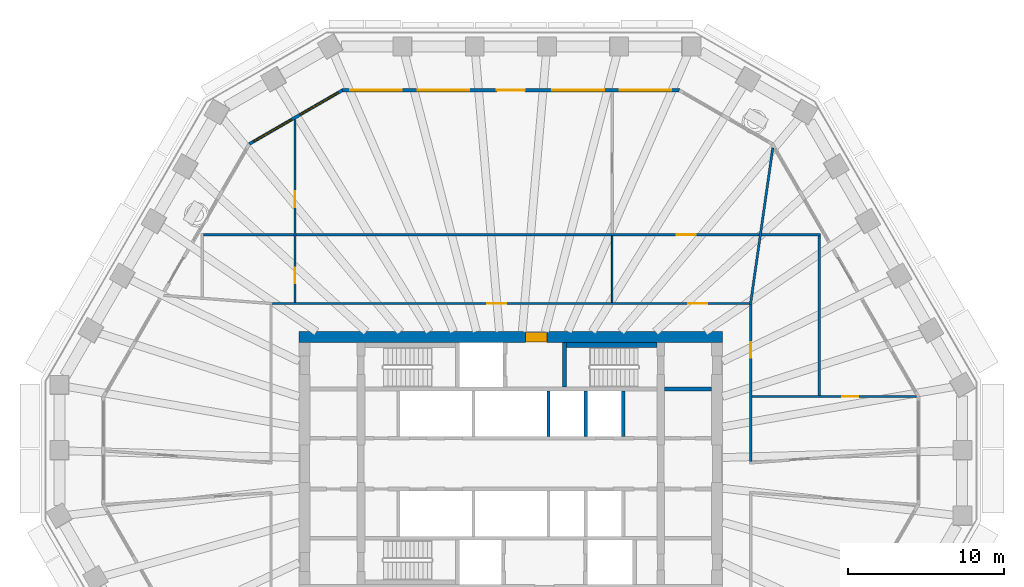
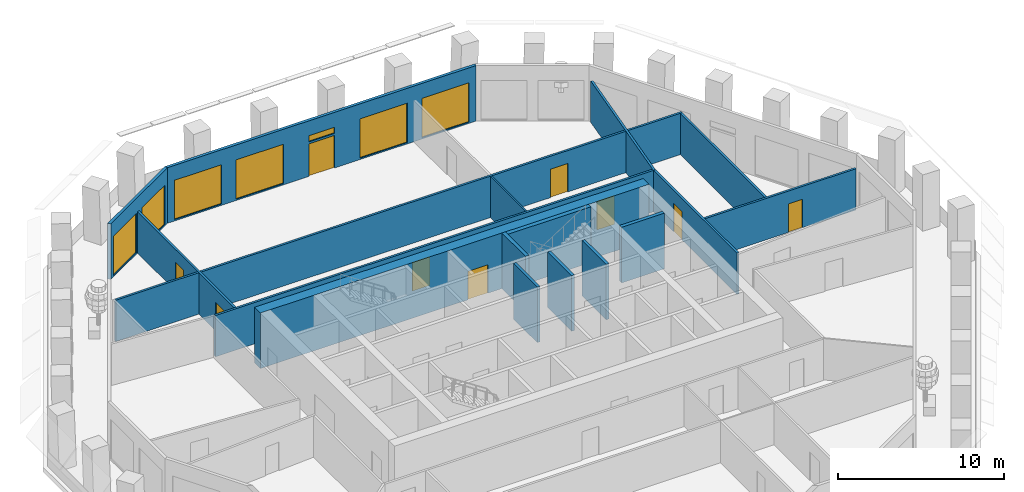
# One storey, part 7 of 12: 17 walls, 9 doors, 7 windows, 16 openings.
"""IFC4 building model written with IfcOpenShell, lengths in metres."""

import ifcopenshell
import ifcopenshell.guid

model = None  # the IFC model being written
_history = None  # IfcOwnerHistory: only IFC2X3 demands one
_inside = {}  # id of a spatial element -> (the spatial element, [elements in it])
_under = {}  # id of a project, library or spatial element -> (it, [spatial elements below it])
_declared = {}  # id of a project -> (the project, [libraries it declares])
_typed = {}  # id of a type object -> (the type object, [elements of that type])
_made_of = {}  # id of a material, layer set ... -> (it, [elements and type objects made of it])


def new_model(schema):
    """Start an empty IFC model of exactly this schema.

    Asked for "IFC4X3", IfcOpenShell would pick the latest addendum, in which some entities
    have other attributes; the version numbers below select the first issue.
    IFC2X3 requires an IfcOwnerHistory on every rooted entity: one is made here for all.
    """
    global model, _history
    if schema == "IFC4X3":
        model = ifcopenshell.file(schema_version=(4, 3, 0, 0))
    else:
        model = ifcopenshell.file(schema=schema)
    _inside.clear()
    _under.clear()
    _declared.clear()
    _typed.clear()
    _made_of.clear()
    _history = None
    if model.schema == "IFC2X3":
        org = make("IfcOrganization", Name="unknown")
        user = make(
            "IfcPersonAndOrganization",
            ThePerson=make("IfcPerson", FamilyName="unknown"),
            TheOrganization=org,
        )
        app = make(
            "IfcApplication",
            ApplicationDeveloper=org,
            Version="unknown",
            ApplicationFullName="unknown",
            ApplicationIdentifier="unknown",
        )
        _history = make(
            "IfcOwnerHistory",
            OwningUser=user,
            OwningApplication=app,
            ChangeAction="ADDED",
            CreationDate=0,
        )
    return model


def make(cls, **values):
    """One entity of the class cls with the attributes given. An attribute that is None is left unset."""
    return model.create_entity(
        cls, **{name: value for name, value in values.items() if value is not None}
    )


def rooted(cls, **values):
    """An entity with a GlobalId (a new one), such as an element, a storey or a relation."""
    return make(cls, GlobalId=ifcopenshell.guid.new(), OwnerHistory=_history, **values)


def si_unit(unit_type, name, prefix=None):
    """IfcSIUnit, for example si_unit("LENGTHUNIT", "METRE", prefix="MILLI")."""
    return make("IfcSIUnit", UnitType=unit_type, Prefix=prefix, Name=name)


def assignment(units):
    """IfcUnitAssignment: the units of a project."""
    return None if units is None else make("IfcUnitAssignment", Units=units)


def point(xyz):
    """IfcCartesianPoint."""
    return None if xyz is None else make("IfcCartesianPoint", Coordinates=xyz)


def direction(xyz):
    """IfcDirection."""
    return None if xyz is None else make("IfcDirection", DirectionRatios=xyz)


def frame(location, z_axis=None, x_axis=None):
    """IfcAxis2Placement3D, a coordinate frame: its origin and axes. An axis left out is left unset."""
    return make(
        "IfcAxis2Placement3D",
        Location=point(location),
        Axis=direction(z_axis),
        RefDirection=direction(x_axis),
    )


def frame_2d(location, x_axis=None):
    """IfcAxis2Placement2D, a coordinate frame in the plane: its origin and x axis."""
    return make(
        "IfcAxis2Placement2D", Location=point(location), RefDirection=direction(x_axis)
    )


def origin():
    """The frame at (0, 0, 0) with its axes left unset."""
    return frame((0.0, 0.0, 0.0))


def place(relative_to, where):
    """IfcLocalPlacement: puts the frame where relative to a parent placement (None: the world)."""
    return make(
        "IfcLocalPlacement", PlacementRelTo=relative_to, RelativePlacement=where
    )


def context(
    kind, dimensions, precision=None, world=None, true_north=None, identifier=None
):
    """IfcGeometricRepresentationContext, for example the 3D "Model" context."""
    return make(
        "IfcGeometricRepresentationContext",
        ContextIdentifier=identifier,
        ContextType=kind,
        CoordinateSpaceDimension=dimensions,
        Precision=precision,
        WorldCoordinateSystem=world,
        TrueNorth=true_north,
    )


def subcontext(parent, identifier, kind, view, scale=None):
    """IfcGeometricRepresentationSubContext, for example "Body" below "Model"."""
    return make(
        "IfcGeometricRepresentationSubContext",
        ContextIdentifier=identifier,
        ContextType=kind,
        ParentContext=parent,
        TargetScale=scale,
        TargetView=view,
    )


def project(units=None, contexts=None):
    """IfcProject with its units and contexts."""
    return rooted(
        "IfcProject",
        Name="project",
        RepresentationContexts=contexts,
        UnitsInContext=assignment(units),
    )


def spatial(cls, under=None, at=None, **own):
    """A site, building, storey or space (cls), placed at a placement, below another one or the project."""
    s = rooted(cls, ObjectPlacement=at, **own)
    if under is not None:
        _under.setdefault(under.id(), (under, []))[1].append(s)
    return s


def polyline(points):
    """IfcPolyline through the points."""
    return make("IfcPolyline", Points=[point(p) for p in points])


def profile(cls, at=None, kind="AREA", **sizes):
    """A parametric profile (cls). Its sizes go by their IFC names, for example OverallWidth=200.0."""
    return make(cls, ProfileType=kind, Position=at, **sizes)


def rectangle(**sizes):
    """IfcRectangleProfileDef."""
    return profile("IfcRectangleProfileDef", **sizes)


def outline(outer, holes=None, kind="AREA"):
    """IfcArbitraryClosedProfileDef: a profile drawn as a closed curve; with holes, ...WithVoids."""
    if holes is None:
        return make("IfcArbitraryClosedProfileDef", ProfileType=kind, OuterCurve=outer)
    return make(
        "IfcArbitraryProfileDefWithVoids",
        ProfileType=kind,
        OuterCurve=outer,
        InnerCurves=holes,
    )


def extrude(swept, where, along, depth):
    """IfcExtrudedAreaSolid: the profile swept, set in the frame where, extruded along a direction by depth."""
    return make(
        "IfcExtrudedAreaSolid",
        SweptArea=swept,
        Position=where,
        ExtrudedDirection=direction(along),
        Depth=depth,
    )


def shape(context_of_items, identifier, shape_type, items):
    """IfcShapeRepresentation: the items that make up one representation, for example the "Body"."""
    return make(
        "IfcShapeRepresentation",
        ContextOfItems=context_of_items,
        RepresentationIdentifier=identifier,
        RepresentationType=shape_type,
        Items=items,
    )


def material(Name=None, Category=None):
    """IfcMaterial."""
    return make("IfcMaterial", Name=Name, Category=Category)


def layer(
    of_material, thickness, ventilated=None, Name=None, Category=None, Priority=None
):
    """IfcMaterialLayer: one layer of a wall or slab, of a material (None: an air gap)."""
    return make(
        "IfcMaterialLayer",
        Material=of_material,
        LayerThickness=thickness,
        IsVentilated=ventilated,
        Name=Name,
        Category=Category,
        Priority=Priority,
    )


def layer_set(layers, Name=None):
    """IfcMaterialLayerSet."""
    return make("IfcMaterialLayerSet", MaterialLayers=layers, LayerSetName=Name)


def made_of(thing, what):
    """Note that an element or type object is made of a material, layer set ...; save() writes the relation."""
    if what is not None:
        _made_of.setdefault(what.id(), (what, []))[1].append(thing)
    return thing


def type_object(cls, material=None, **own):
    """A type object (cls), such as IfcWallType, which elements share."""
    return made_of(rooted(cls, **own), material)


def element(
    cls,
    number,
    at=None,
    inside=None,
    cuts=None,
    type_object=None,
    material=None,
    context=None,
    identifier="Body",
    shape_type=None,
    held_by="IfcProductDefinitionShape",
    body=None,
    shapes=None,
    **own,
):
    """One element of the class cls, such as IfcWall. Its Tag is "e" and its number.

    at: its placement. inside: the storey or other place that contains it. cuts: it is an
    opening in that element (IfcRelVoidsElement). A single representation is given by context,
    identifier, shape_type and body (its items); several are given by shapes. held_by: the class
    of the entity that holds the representations. save() writes the other relations.
    """
    e = rooted(cls, Tag="e%d" % number, ObjectPlacement=at, **own)
    if body is not None:
        shapes = [shape(context, identifier, shape_type, body)]
    if shapes is not None:
        e.Representation = make(held_by, Representations=shapes)
    if inside is not None:
        _inside.setdefault(inside.id(), (inside, []))[1].append(e)
    if cuts is not None:
        rooted(
            "IfcRelVoidsElement", RelatingBuildingElement=cuts, RelatedOpeningElement=e
        )
    if type_object is not None:
        _typed.setdefault(type_object.id(), (type_object, []))[1].append(e)
    return made_of(e, material)


def fill(opening, filler):
    """IfcRelFillsElement: the door or window that sits in an opening."""
    return rooted(
        "IfcRelFillsElement",
        RelatingOpeningElement=opening,
        RelatedBuildingElement=filler,
    )


def aggregate(whole, parts):
    """IfcRelAggregates: a whole, such as a stair, and the parts it consists of."""
    return rooted("IfcRelAggregates", RelatingObject=whole, RelatedObjects=parts)


def save(model, path):
    """Write the relations noted so far, then the file.

    IfcRelAggregates (storeys below a building ...), IfcRelContainedInSpatialStructure (elements
    in a storey), IfcRelDefinesByType, IfcRelAssociatesMaterial and IfcRelDeclares: one each for
    every whole, place, type object, material and project.
    """
    for whole, parts in _under.values():
        aggregate(whole, parts)
    for where, things in _inside.values():
        rooted(
            "IfcRelContainedInSpatialStructure",
            RelatedElements=things,
            RelatingStructure=where,
        )
    for kind, things in _typed.values():
        rooted("IfcRelDefinesByType", RelatedObjects=things, RelatingType=kind)
    for what, things in _made_of.values():
        rooted("IfcRelAssociatesMaterial", RelatedObjects=things, RelatingMaterial=what)
    for by, libraries in _declared.values():
        rooted("IfcRelDeclares", RelatingContext=by, RelatedDefinitions=libraries)
    model.write(path)


model = new_model("IFC4")

# Units and contexts
model_context = context("Model", 3, precision=1e-05, world=origin(), true_north=direction((0.0, 1.0)))
body_context = subcontext(model_context, "Body", "Model", "MODEL_VIEW")
ifc_project = project(units=[si_unit("LENGTHUNIT", "METRE"), si_unit("AREAUNIT", "SQUARE_METRE"), si_unit("VOLUMEUNIT", "CUBIC_METRE"), si_unit("PLANEANGLEUNIT", "RADIAN"), si_unit("MASSUNIT", "GRAM", prefix="KILO")], contexts=[model_context])

# Site, building, storey
site_placement = place(None, origin())
site = spatial("IfcSite", under=ifc_project, at=site_placement, CompositionType="ELEMENT")
building_placement = place(site_placement, origin())
building = spatial("IfcBuilding", under=site, at=building_placement, Name="Frailejon Research Tower", CompositionType="ELEMENT")
storey_placement = place(building_placement, frame((0.0, 0.0, 171.60009765625)))
storey = spatial("IfcBuildingStorey", under=building, at=storey_placement, Name="L37", CompositionType="ELEMENT", Elevation=171.60009765625)

# Wall, opening, door
ifc_material_1 = material(Name="Concrete C60/75", Category="concrete")
ifc_layer_1 = layer(ifc_material_1, 0.699951171875)
ifc_layer_set_1 = layer_set([ifc_layer_1], Name="Core shear wall 700 C60/75")
wall_type_1 = type_object("IfcWallType", Name="Core shear wall 700 C60/75", PredefinedType="SHEAR", material=ifc_layer_set_1)
wall_1_placement = place(storey_placement, frame((-13.550048828125, 8.10009765625, 0.0), z_axis=(0.0, 0.0, 1.0), x_axis=(1.0, 0.0, 0.0)))
wall_1 = element("IfcWall", 1, at=wall_1_placement, inside=storey, type_object=wall_type_1, Name="Core shear wall", PredefinedType="SHEAR", context=body_context, shape_type="SweptSolid", body=[
    extrude(rectangle(XDim=27.10009765625, YDim=0.699951171875, at=frame_2d((13.550048828125, 0.0))), origin(), (0.0, 0.0, 1.0), 4.099853515625),
])
opening_1_placement = place(wall_1_placement, frame((14.47509765625, 0.0, 0.0)))
opening_1 = element("IfcOpeningElement", 2, at=opening_1_placement, cuts=wall_1, Name="Opening D9", PredefinedType="OPENING", context=body_context, shape_type="SweptSolid", body=[
    extrude(rectangle(XDim=1.39990234375, YDim=2.10009765625, at=frame_2d((0.699951171875, 1.050048828125))), frame((0.0, 0.35986328125, 0.0), z_axis=(0.0, -1.0, 0.0), x_axis=(1.0, 0.0, 0.0)), (0.0, 0.0, 1.0), 0.719970703125),
])
ifc_material_2 = material(Name="Steel", Category="steel")
door_type_1 = type_object("IfcDoorType", Name="Goods lobby door", OperationType="DOUBLE_DOOR_SINGLE_SWING", PredefinedType="DOOR", material=ifc_material_2)
door_1_placement = place(opening_1_placement, origin())
door_1 = element("IfcDoor", 3, at=door_1_placement, inside=storey, type_object=door_type_1, Name="Goods lobby door", OperationType="DOUBLE_DOOR_SINGLE_SWING", OverallHeight=2.10009765625, OverallWidth=1.39990234375, PredefinedType="DOOR", context=body_context, shape_type="SweptSolid", body=[
    extrude(rectangle(XDim=1.39990234375, YDim=2.10009765625, at=frame_2d((0.699951171875, 1.050048828125))), frame((0.0, 0.300048828125, 0.0), z_axis=(0.0, -1.0, 0.0), x_axis=(1.0, 0.0, 0.0)), (0.0, 0.0, 1.0), 0.60009765625),
])
fill(opening_1, door_1)

ifc_material_3 = material(Name="Gypsum board and masonry partition", Category="masonry")
ifc_layer_2 = layer(ifc_material_3, 0.14990234375)
ifc_layer_set_2 = layer_set([ifc_layer_2], Name="Corridor wall EI 60, gypsum on steel studs 150")
wall_type_2 = type_object("IfcWallType", Name="Corridor wall EI 60, gypsum on steel studs 150", PredefinedType="PARTITIONING", material=ifc_layer_set_2)
wall_2_placement = place(storey_placement, frame((15.35009765625, 0.12255859375, 0.0), z_axis=(0.0, 0.0, 1.0), x_axis=(0.0, 1.0, 0.0)))
wall_2 = element("IfcWall", 4, at=wall_2_placement, inside=storey, type_object=wall_type_2, Name="T:IW:L37:002", PredefinedType="PARTITIONING", context=body_context, shape_type="SweptSolid", body=[
    extrude(rectangle(XDim=10.052490234375, YDim=0.14990234375, at=frame_2d((5.0263671875, 0.0))), origin(), (0.0, 0.0, 1.0), 3.0498046875),
])
opening_2_placement = place(wall_2_placement, frame((6.6494140625, 0.0, 0.0)))
opening_2 = element("IfcOpeningElement", 5, at=opening_2_placement, cuts=wall_2, Name="Opening D1805", PredefinedType="OPENING", context=body_context, shape_type="SweptSolid", body=[
    extrude(rectangle(XDim=1.0, YDim=2.10009765625, at=frame_2d((0.5, 1.050048828125))), frame((0.0, 0.0849609375, 0.0), z_axis=(0.0, -1.0, 0.0), x_axis=(1.0, 0.0, 0.0)), (0.0, 0.0, 1.0), 0.169921875),
])
ifc_material_4 = material(Name="Timber door leaf", Category="wood")
door_type_2 = type_object("IfcDoorType", Name="Door laboratory, timber, vision panel 1000", OperationType="NOTDEFINED", PredefinedType="DOOR", material=ifc_material_4)
door_2_placement = place(opening_2_placement, origin())
door_2 = element("IfcDoor", 6, at=door_2_placement, inside=storey, type_object=door_type_2, Name="D1805", OperationType="SINGLE_SWING_RIGHT", OverallHeight=2.10009765625, OverallWidth=1.0, PredefinedType="DOOR", context=body_context, shape_type="SweptSolid", body=[
    extrude(rectangle(XDim=1.0, YDim=2.10009765625, at=frame_2d((0.5, 1.050048828125))), frame((0.0, 0.02490234375, 0.0), z_axis=(0.0, -1.0, 0.0), x_axis=(1.0, 0.0, 0.0)), (0.0, 0.0, 1.0), 0.050048828125),
])
fill(opening_2, door_2)

# Wall, openings, doors
wall_3_placement = place(storey_placement, frame((-15.27490234375, 10.25, 0.0), z_axis=(0.0, 0.0, 1.0), x_axis=(1.0, 0.0, 0.0)))
wall_3 = element("IfcWall", 7, at=wall_3_placement, inside=storey, type_object=wall_type_2, Name="T:IW:L37:003", PredefinedType="PARTITIONING", context=body_context, shape_type="SweptSolid", body=[
    extrude(rectangle(XDim=30.5498046875, YDim=0.14990234375, at=frame_2d((15.27490234375, 0.0))), origin(), (0.0, 0.0, 1.0), 3.0498046875),
])
opening_3_placement = place(wall_3_placement, frame((26.638427734375, 0.0, 0.0)))
opening_3 = element("IfcOpeningElement", 8, at=opening_3_placement, cuts=wall_3, Name="Opening D1806", PredefinedType="OPENING", context=body_context, shape_type="SweptSolid", body=[
    extrude(rectangle(XDim=1.199951171875, YDim=2.10009765625, at=frame_2d((0.60009765625, 1.050048828125))), frame((0.0, 0.0849609375, 0.0), z_axis=(0.0, -1.0, 0.0), x_axis=(1.0, 0.0, 0.0)), (0.0, 0.0, 1.0), 0.169921875),
])
opening_4_placement = place(wall_3_placement, frame((13.772705078125, 0.0, 0.0)))
opening_4 = element("IfcOpeningElement", 9, at=opening_4_placement, cuts=wall_3, Name="Opening D1809", PredefinedType="OPENING", context=body_context, shape_type="SweptSolid", body=[
    extrude(rectangle(XDim=1.199951171875, YDim=2.10009765625, at=frame_2d((0.60009765625, 1.050048828125))), frame((0.0, 0.0849609375, 0.0), z_axis=(0.0, -1.0, 0.0), x_axis=(1.0, 0.0, 0.0)), (0.0, 0.0, 1.0), 0.169921875),
])
ifc_material_5 = material(Name="Timber door leaf", Category="wood")
door_type_3 = type_object("IfcDoorType", Name="Door single leaf, timber, steel frame 1200", OperationType="NOTDEFINED", PredefinedType="DOOR", material=ifc_material_5)
door_3_placement = place(opening_3_placement, origin())
door_3 = element("IfcDoor", 10, at=door_3_placement, inside=storey, type_object=door_type_3, Name="D1806", OperationType="DOUBLE_DOOR_SINGLE_SWING", OverallHeight=2.10009765625, OverallWidth=1.199951171875, PredefinedType="DOOR", context=body_context, shape_type="SweptSolid", body=[
    extrude(rectangle(XDim=1.199951171875, YDim=2.10009765625, at=frame_2d((0.60009765625, 1.050048828125))), frame((0.0, 0.02490234375, 0.0), z_axis=(0.0, -1.0, 0.0), x_axis=(1.0, 0.0, 0.0)), (0.0, 0.0, 1.0), 0.050048828125),
])
fill(opening_3, door_3)
door_4_placement = place(opening_4_placement, origin())
door_4 = element("IfcDoor", 11, at=door_4_placement, inside=storey, type_object=door_type_3, Name="D1809", OperationType="DOUBLE_DOOR_SINGLE_SWING", OverallHeight=2.10009765625, OverallWidth=1.199951171875, PredefinedType="DOOR", context=body_context, shape_type="SweptSolid", body=[
    extrude(rectangle(XDim=1.199951171875, YDim=2.10009765625, at=frame_2d((0.60009765625, 1.050048828125))), frame((0.0, 0.02490234375, 0.0), z_axis=(0.0, -1.0, 0.0), x_axis=(1.0, 0.0, 0.0)), (0.0, 0.0, 1.0), 0.050048828125),
])
fill(opening_4, door_4)

# Wall, opening, door
ifc_material_6 = material(Name="Gypsum board and masonry partition", Category="masonry")
ifc_layer_3 = layer(ifc_material_6, 0.14990234375)
ifc_layer_set_3 = layer_set([ifc_layer_3], Name="Laboratory partition, blockwork 150")
wall_type_3 = type_object("IfcWallType", Name="Laboratory partition, blockwork 150", PredefinedType="PARTITIONING", material=ifc_layer_set_3)
wall_4_placement = place(storey_placement, frame((15.425048828125, 4.293701171875, 0.0), z_axis=(0.0, 0.0, 1.0), x_axis=(1.0, 0.0, 0.0)))
wall_4 = element("IfcWall", 12, at=wall_4_placement, inside=storey, type_object=wall_type_3, Name="T:IW:L37:011", PredefinedType="PARTITIONING", context=body_context, shape_type="SweptSolid", body=[
    extrude(rectangle(XDim=10.535888671875, YDim=0.14990234375, at=frame_2d((5.26806640625, 0.0))), origin(), (0.0, 0.0, 1.0), 3.0498046875),
])
opening_5_placement = place(wall_4_placement, frame((5.802734375, 0.0, 0.0)))
opening_5 = element("IfcOpeningElement", 13, at=opening_5_placement, cuts=wall_4, Name="Opening D1804", PredefinedType="OPENING", context=body_context, shape_type="SweptSolid", body=[
    extrude(rectangle(XDim=1.0, YDim=2.10009765625, at=frame_2d((0.5, 1.050048828125))), frame((0.0, 0.0849609375, 0.0), z_axis=(0.0, -1.0, 0.0), x_axis=(1.0, 0.0, 0.0)), (0.0, 0.0, 1.0), 0.169921875),
])
ifc_material_7 = material(Name="Timber door leaf", Category="wood")
door_type_4 = type_object("IfcDoorType", Name="Door single leaf, timber, steel frame 1000", OperationType="NOTDEFINED", PredefinedType="DOOR", material=ifc_material_7)
door_5_placement = place(opening_5_placement, origin())
door_5 = element("IfcDoor", 14, at=door_5_placement, inside=storey, type_object=door_type_4, Name="D1804", OperationType="SINGLE_SWING_RIGHT", OverallHeight=2.10009765625, OverallWidth=1.0, PredefinedType="DOOR", context=body_context, shape_type="SweptSolid", body=[
    extrude(rectangle(XDim=1.0, YDim=2.10009765625, at=frame_2d((0.5, 1.050048828125))), frame((0.0, 0.02490234375, 0.0), z_axis=(0.0, -1.0, 0.0), x_axis=(1.0, 0.0, 0.0)), (0.0, 0.0, 1.0), 0.050048828125),
])
fill(opening_5, door_5)

# Wall
wall_5_placement = place(storey_placement, frame((19.75, 4.368896484375, 0.0), z_axis=(0.0, 0.0, 1.0), x_axis=(0.0, 1.0, 0.0)))
element("IfcWall", 15, at=wall_5_placement, inside=storey, type_object=wall_type_3, Name="T:IW:L37:012", PredefinedType="PARTITIONING", context=body_context, shape_type="SweptSolid", body=[
    extrude(rectangle(XDim=10.2060546875, YDim=0.14990234375, at=frame_2d((5.10302734375, 0.0))), origin(), (0.0, 0.0, 1.0), 3.0498046875),
])

# Wall, opening, door
wall_6_placement = place(storey_placement, frame((-19.675048828125, 14.64990234375, 0.0), z_axis=(0.0, 0.0, 1.0), x_axis=(1.0, 0.0, 0.0)))
wall_6 = element("IfcWall", 16, at=wall_6_placement, inside=storey, type_object=wall_type_3, Name="T:IW:L37:013", PredefinedType="PARTITIONING", context=body_context, shape_type="SweptSolid", body=[
    extrude(rectangle(XDim=39.5, YDim=0.14990234375, at=frame_2d((19.75, 0.0))), origin(), (0.0, 0.0, 1.0), 3.0498046875),
])
opening_6_placement = place(wall_6_placement, frame((30.3076171875, 0.0, 0.0)))
opening_6 = element("IfcOpeningElement", 17, at=opening_6_placement, cuts=wall_6, Name="Opening D1807", PredefinedType="OPENING", context=body_context, shape_type="SweptSolid", body=[
    extrude(rectangle(XDim=1.199951171875, YDim=2.10009765625, at=frame_2d((0.60009765625, 1.050048828125))), frame((0.0, 0.0849609375, 0.0), z_axis=(0.0, -1.0, 0.0), x_axis=(1.0, 0.0, 0.0)), (0.0, 0.0, 1.0), 0.169921875),
])
ifc_material_8 = material(Name="Timber door leaf", Category="wood")
door_type_5 = type_object("IfcDoorType", Name="Door laboratory, timber, vision panel 1200", OperationType="NOTDEFINED", PredefinedType="DOOR", material=ifc_material_8)
door_6_placement = place(opening_6_placement, origin())
door_6 = element("IfcDoor", 18, at=door_6_placement, inside=storey, type_object=door_type_5, Name="D1807", OperationType="DOUBLE_DOOR_SINGLE_SWING", OverallHeight=2.10009765625, OverallWidth=1.199951171875, PredefinedType="DOOR", context=body_context, shape_type="SweptSolid", body=[
    extrude(rectangle(XDim=1.199951171875, YDim=2.10009765625, at=frame_2d((0.60009765625, 1.050048828125))), frame((0.0, 0.02490234375, 0.0), z_axis=(0.0, -1.0, 0.0), x_axis=(1.0, 0.0, 0.0)), (0.0, 0.0, 1.0), 0.050048828125),
])
fill(opening_6, door_6)

# Wall
wall_7_placement = place(storey_placement, frame((15.33935546875, 10.17578125, 0.0), z_axis=(0.0, 0.0, 1.0), x_axis=(0.140962940667, 0.990014873302, 0.0)))
element("IfcWall", 19, at=wall_7_placement, inside=storey, type_object=wall_type_3, Name="T:IW:L37:014", PredefinedType="PARTITIONING", context=body_context, shape_type="SweptSolid", body=[
    extrude(rectangle(XDim=10.140625, YDim=0.14990234375, at=frame_2d((5.0703125, 0.0))), origin(), (0.0, 0.0, 1.0), 3.0498046875),
])

# Wall, openings, doors
wall_8_placement = place(storey_placement, frame((-13.814453125, 10.324951171875, 0.0), z_axis=(0.0, 0.0, 1.0), x_axis=(0.0, 1.0, 0.0)))
wall_8 = element("IfcWall", 20, at=wall_8_placement, inside=storey, type_object=wall_type_3, Name="T:IW:L37:016", PredefinedType="PARTITIONING", context=body_context, shape_type="SweptSolid", body=[
    extrude(rectangle(XDim=11.712158203125, YDim=0.14990234375, at=frame_2d((5.85595703125, 0.0))), origin(), (0.0, 0.0, 1.0), 3.0498046875),
])
opening_7_placement = place(wall_8_placement, frame((6.0966796875, 0.0, 0.0)))
opening_7 = element("IfcOpeningElement", 21, at=opening_7_placement, cuts=wall_8, Name="Opening D1810", PredefinedType="OPENING", context=body_context, shape_type="SweptSolid", body=[
    extrude(rectangle(XDim=1.0, YDim=2.10009765625, at=frame_2d((0.5, 1.050048828125))), frame((0.0, 0.0849609375, 0.0), z_axis=(0.0, -1.0, 0.0), x_axis=(1.0, 0.0, 0.0)), (0.0, 0.0, 1.0), 0.169921875),
])
opening_8_placement = place(wall_8_placement, frame((1.219970703125, 0.0, 0.0)))
opening_8 = element("IfcOpeningElement", 22, at=opening_8_placement, cuts=wall_8, Name="Opening D1811", PredefinedType="OPENING", context=body_context, shape_type="SweptSolid", body=[
    extrude(rectangle(XDim=1.0, YDim=2.10009765625, at=frame_2d((0.5, 1.050048828125))), frame((0.0, 0.0849609375, 0.0), z_axis=(0.0, -1.0, 0.0), x_axis=(1.0, 0.0, 0.0)), (0.0, 0.0, 1.0), 0.169921875),
])
door_7_placement = place(opening_7_placement, origin())
door_7 = element("IfcDoor", 23, at=door_7_placement, inside=storey, type_object=door_type_2, Name="D1810", OperationType="SINGLE_SWING_RIGHT", OverallHeight=2.10009765625, OverallWidth=1.0, PredefinedType="DOOR", context=body_context, shape_type="SweptSolid", body=[
    extrude(rectangle(XDim=1.0, YDim=2.10009765625, at=frame_2d((0.5, 1.050048828125))), frame((0.0, 0.02490234375, 0.0), z_axis=(0.0, -1.0, 0.0), x_axis=(1.0, 0.0, 0.0)), (0.0, 0.0, 1.0), 0.050048828125),
])
fill(opening_7, door_7)
door_8_placement = place(opening_8_placement, origin())
door_8 = element("IfcDoor", 24, at=door_8_placement, inside=storey, type_object=door_type_2, Name="D1811", OperationType="SINGLE_SWING_RIGHT", OverallHeight=2.10009765625, OverallWidth=1.0, PredefinedType="DOOR", context=body_context, shape_type="SweptSolid", body=[
    extrude(rectangle(XDim=1.0, YDim=2.10009765625, at=frame_2d((0.5, 1.050048828125))), frame((0.0, 0.02490234375, 0.0), z_axis=(0.0, -1.0, 0.0), x_axis=(1.0, 0.0, 0.0)), (0.0, 0.0, 1.0), 0.050048828125),
])
fill(opening_8, door_8)

# Walls
ifc_material_9 = material(Name="Gypsum board and masonry partition", Category="masonry")
ifc_layer_4 = layer(ifc_material_9, 0.10009765625)
ifc_layer_set_4 = layer_set([ifc_layer_4], Name="Partition, gypsum on steel studs 100")
wall_type_4 = type_object("IfcWallType", Name="Partition, gypsum on steel studs 100", PredefinedType="PARTITIONING", material=ifc_layer_set_4)
wall_9_placement = place(storey_placement, frame((6.488525390625, 10.324951171875, 0.0), z_axis=(0.0, 0.0, 1.0), x_axis=(0.0, 1.0, 0.0)))
element("IfcWall", 25, at=wall_9_placement, inside=storey, type_object=wall_type_4, Name="T:IW:L37:025", PredefinedType="PARTITIONING", context=body_context, shape_type="SweptSolid", body=[
    extrude(rectangle(XDim=4.25, YDim=0.10009765625, at=frame_2d((2.125, 0.0))), origin(), (0.0, 0.0, 1.0), 3.0498046875),
])
ifc_material_10 = material(Name="Concrete C60/75", Category="concrete")
ifc_layer_5 = layer(ifc_material_10, 0.199951171875)
ifc_layer_set_5 = layer_set([ifc_layer_5], Name="Shaft wall 200 C60/75")
wall_type_5 = type_object("IfcWallType", Name="Shaft wall 200 C60/75", PredefinedType="SOLIDWALL", material=ifc_layer_set_5)
for number, where, z_axis, x_axis, name in (
    (26, (2.39990234375, 1.75, 0.0), (0.0, 0.0, 1.0), (0.0, 1.0, 0.0), "Shaft wall"),
    (27, (4.800048828125, 1.75, 0.0), (0.0, 0.0, 1.0), (0.0, 1.0, 0.0), "Shaft wall"),
    (28, (7.199951171875, 1.75, 0.0), (0.0, 0.0, 1.0), (0.0, 1.0, 0.0), "Shaft wall"),
):
    element("IfcWall", number, at=place(storey_placement, frame(where, z_axis=z_axis, x_axis=x_axis)), inside=storey, type_object=wall_type_5, Name=name, PredefinedType="SOLIDWALL", context=body_context, shape_type="SweptSolid", body=[
        extrude(rectangle(XDim=2.89990234375, YDim=0.199951171875, at=frame_2d((1.449951171875, 0.0))), origin(), (0.0, 0.0, 1.0), 4.099853515625),
    ])
ifc_material_11 = material(Name="Concrete C60/75", Category="concrete")
ifc_layer_6 = layer(ifc_material_11, 0.25)
ifc_layer_set_6 = layer_set([ifc_layer_6], Name="Shaft wall 250 C60/75")
wall_type_6 = type_object("IfcWallType", Name="Shaft wall 250 C60/75", PredefinedType="SOLIDWALL", material=ifc_layer_set_6)
wall_10_placement = place(storey_placement, frame((9.85009765625, 4.77490234375, 0.0), z_axis=(0.0, 0.0, 1.0), x_axis=(1.0, 0.0, 0.0)))
element("IfcWall", 29, at=wall_10_placement, inside=storey, type_object=wall_type_6, Name="Shaft wall", PredefinedType="SOLIDWALL", context=body_context, shape_type="SweptSolid", body=[
    extrude(rectangle(XDim=3.0, YDim=0.25, at=frame_2d((1.5, 0.0))), origin(), (0.0, 0.0, 1.0), 4.099853515625),
])
wall_11_placement = place(storey_placement, frame((3.425048828125, 4.89990234375, 0.0), z_axis=(0.0, 0.0, 1.0), x_axis=(0.0, 1.0, 0.0)))
element("IfcWall", 30, at=wall_11_placement, inside=storey, type_object=wall_type_6, Name="Shaft wall", PredefinedType="SOLIDWALL", context=body_context, shape_type="SweptSolid", body=[
    extrude(rectangle(XDim=2.85009765625, YDim=0.25, at=frame_2d((1.425048828125, 0.0))), origin(), (0.0, 0.0, 1.0), 4.099853515625),
])
ifc_material_12 = material(Name="Concrete C60/75", Category="concrete")
ifc_layer_7 = layer(ifc_material_12, 0.300048828125)
ifc_layer_set_7 = layer_set([ifc_layer_7], Name="Shaft wall 300 C60/75")
wall_type_7 = type_object("IfcWallType", Name="Shaft wall 300 C60/75", PredefinedType="SOLIDWALL", material=ifc_layer_set_7)
wall_12_placement = place(storey_placement, frame((3.550048828125, 7.60009765625, 0.0), z_axis=(0.0, 0.0, 1.0), x_axis=(1.0, 0.0, 0.0)))
element("IfcWall", 31, at=wall_12_placement, inside=storey, type_object=wall_type_7, Name="Shaft wall", PredefinedType="SOLIDWALL", context=body_context, shape_type="SweptSolid", body=[
    extrude(rectangle(XDim=5.800048828125, YDim=0.300048828125, at=frame_2d((2.89990234375, 0.0))), origin(), (0.0, 0.0, 1.0), 4.099853515625),
])

# Wall, openings, door, windows
ifc_material_13 = material(Name="Concrete C40/50 precast window wall panel", Category="concrete")
ifc_layer_8 = layer(ifc_material_13, 0.199951171875)
ifc_layer_set_8 = layer_set([ifc_layer_8], Name="Window wall 200")
wall_type_8 = type_object("IfcWallType", Name="Window wall 200", PredefinedType="SOLIDWALL", material=ifc_layer_set_8)
wall_13_placement = place(storey_placement, frame((10.78759765625, 23.89990234375, 0.0), z_axis=(0.0, 0.0, 1.0), x_axis=(-1.0, 0.0, 0.0)))
wall_13 = element("IfcWall", 32, at=wall_13_placement, inside=storey, type_object=wall_type_8, Name="Exterior wall L37", PredefinedType="SOLIDWALL", context=body_context, shape_type="SweptSolid", body=[
    extrude(outline(polyline([(-0.02685546875, -0.10009765625), (1.003173828125, -0.10009765625), (2.032958984375, -0.10009765625), (3.06298828125, -0.10009765625), (4.093017578125, -0.10009765625), (5.122802734375, -0.10009765625), (6.15283203125, -0.10009765625), (7.182861328125, -0.10009765625), (8.212646484375, -0.10009765625), (9.24267578125, -0.10009765625), (10.272705078125, -0.10009765625), (11.302490234375, -0.10009765625), (12.33251953125, -0.10009765625), (13.362548828125, -0.10009765625), (14.392333984375, -0.10009765625), (15.42236328125, -0.10009765625), (16.452392578125, -0.10009765625), (17.482177734375, -0.10009765625), (18.51220703125, -0.10009765625), (19.542236328125, -0.10009765625), (20.572021484375, -0.10009765625), (21.60205078125, -0.10009765625), (21.54833984375, 0.10009765625), (20.5234375, 0.10009765625), (19.498779296875, 0.10009765625), (18.473876953125, 0.10009765625), (17.448974609375, 0.10009765625), (16.424072265625, 0.10009765625), (15.3994140625, 0.10009765625), (14.37451171875, 0.10009765625), (13.349609375, 0.10009765625), (12.324951171875, 0.10009765625), (11.300048828125, 0.10009765625), (10.275146484375, 0.10009765625), (9.250244140625, 0.10009765625), (8.2255859375, 0.10009765625), (7.20068359375, 0.10009765625), (6.17578125, 0.10009765625), (5.151123046875, 0.10009765625), (4.126220703125, 0.10009765625), (3.101318359375, 0.10009765625), (2.076416015625, 0.10009765625), (1.0517578125, 0.10009765625), (0.02685546875, 0.10009765625), (-0.02685546875, -0.10009765625)])), origin(), (0.0, 0.0, 1.0), 4.099853515625),
])
opening_9_placement = place(wall_13_placement, frame((0.507568359375, 0.0, 0.10009765625)))
opening_9 = element("IfcOpeningElement", 33, at=opening_9_placement, cuts=wall_13, Name="Opening W5", PredefinedType="OPENING", context=body_context, shape_type="SweptSolid", body=[
    extrude(rectangle(XDim=3.300048828125, YDim=2.89990234375, at=frame_2d((1.64990234375, 1.449951171875))), frame((0.0, 0.10986328125, 0.0), z_axis=(0.0, -1.0, 0.0), x_axis=(1.0, 0.0, 0.0)), (0.0, 0.0, 1.0), 0.219970703125),
])
opening_10_placement = place(wall_13_placement, frame((4.822509765625, 0.0, 0.10009765625)))
opening_10 = element("IfcOpeningElement", 34, at=opening_10_placement, cuts=wall_13, Name="Opening W5", PredefinedType="OPENING", context=body_context, shape_type="SweptSolid", body=[
    extrude(rectangle(XDim=3.300048828125, YDim=2.89990234375, at=frame_2d((1.64990234375, 1.449951171875))), frame((0.0, 0.10986328125, 0.0), z_axis=(0.0, -1.0, 0.0), x_axis=(1.0, 0.0, 0.0)), (0.0, 0.0, 1.0), 0.219970703125),
])
opening_11_placement = place(wall_13_placement, frame((9.8876953125, 0.0, 0.0)))
opening_11 = element("IfcOpeningElement", 35, at=opening_11_placement, cuts=wall_13, Name="Opening LG37-2", PredefinedType="OPENING", context=body_context, shape_type="SweptSolid", body=[
    extrude(rectangle(XDim=1.800048828125, YDim=2.39990234375, at=frame_2d((0.89990234375, 1.199951171875))), frame((0.0, 0.10986328125, 0.0), z_axis=(0.0, -1.0, 0.0), x_axis=(1.0, 0.0, 0.0)), (0.0, 0.0, 1.0), 0.219970703125),
])
opening_12_placement = place(wall_13_placement, frame((9.8876953125, 0.0, 2.550048828125)))
opening_12 = element("IfcOpeningElement", 36, at=opening_12_placement, cuts=wall_13, Name="Opening W1", PredefinedType="OPENING", context=body_context, shape_type="SweptSolid", body=[
    extrude(rectangle(XDim=1.800048828125, YDim=0.449951171875, at=frame_2d((0.89990234375, 0.22509765625))), frame((0.0, 0.10986328125, 0.0), z_axis=(0.0, -1.0, 0.0), x_axis=(1.0, 0.0, 0.0)), (0.0, 0.0, 1.0), 0.219970703125),
])
opening_13_placement = place(wall_13_placement, frame((13.45263671875, 0.0, 0.10009765625)))
opening_13 = element("IfcOpeningElement", 37, at=opening_13_placement, cuts=wall_13, Name="Opening W5", PredefinedType="OPENING", context=body_context, shape_type="SweptSolid", body=[
    extrude(rectangle(XDim=3.300048828125, YDim=2.89990234375, at=frame_2d((1.64990234375, 1.449951171875))), frame((0.0, 0.10986328125, 0.0), z_axis=(0.0, -1.0, 0.0), x_axis=(1.0, 0.0, 0.0)), (0.0, 0.0, 1.0), 0.219970703125),
])
opening_14_placement = place(wall_13_placement, frame((17.767578125, 0.0, 0.10009765625)))
opening_14 = element("IfcOpeningElement", 38, at=opening_14_placement, cuts=wall_13, Name="Opening W5", PredefinedType="OPENING", context=body_context, shape_type="SweptSolid", body=[
    extrude(rectangle(XDim=3.300048828125, YDim=2.89990234375, at=frame_2d((1.64990234375, 1.449951171875))), frame((0.0, 0.10986328125, 0.0), z_axis=(0.0, -1.0, 0.0), x_axis=(1.0, 0.0, 0.0)), (0.0, 0.0, 1.0), 0.219970703125),
])
ifc_material_14 = material(Name="Aluminium framed glazed door leaf", Category="aluminium")
door_type_6 = type_object("IfcDoorType", Name="Loggia door 1800x2400", OperationType="DOUBLE_DOOR_SINGLE_SWING", PredefinedType="DOOR", material=ifc_material_14)
door_9_placement = place(opening_11_placement, origin())
door_9 = element("IfcDoor", 39, at=door_9_placement, inside=storey, type_object=door_type_6, Name="Door LG37-2", OperationType="DOUBLE_DOOR_SINGLE_SWING", OverallHeight=2.39990234375, OverallWidth=1.800048828125, PredefinedType="DOOR", context=body_context, shape_type="SweptSolid", body=[
    extrude(rectangle(XDim=1.800048828125, YDim=2.39990234375, at=frame_2d((0.89990234375, 1.199951171875))), frame((0.0, 0.02490234375, 0.0), z_axis=(0.0, -1.0, 0.0), x_axis=(1.0, 0.0, 0.0)), (0.0, 0.0, 1.0), 0.050048828125),
])
fill(opening_11, door_9)
ifc_material_15 = material(Name="Aluminium framed double glazing", Category="aluminium")
window_type_1 = type_object("IfcWindowType", Name="Window 1800x450", PartitioningType="SINGLE_PANEL", PredefinedType="WINDOW", material=ifc_material_15)
window_1_placement = place(opening_12_placement, origin())
window_1 = element("IfcWindow", 40, at=window_1_placement, inside=storey, type_object=window_type_1, Name="Window L37", OverallHeight=0.449951171875, OverallWidth=1.800048828125, PartitioningType="SINGLE_PANEL", PredefinedType="WINDOW", context=body_context, shape_type="SweptSolid", body=[
    extrude(rectangle(XDim=1.800048828125, YDim=0.449951171875, at=frame_2d((0.89990234375, 0.22509765625))), frame((0.0, 0.030029296875, 0.0), z_axis=(0.0, -1.0, 0.0), x_axis=(1.0, 0.0, 0.0)), (0.0, 0.0, 1.0), 0.06005859375),
])
fill(opening_12, window_1)
ifc_material_16 = material(Name="Aluminium framed double glazing", Category="aluminium")
window_type_2 = type_object("IfcWindowType", Name="Window 3300x2900", PartitioningType="SINGLE_PANEL", PredefinedType="WINDOW", material=ifc_material_16)
window_2_placement = place(opening_9_placement, origin())
window_2 = element("IfcWindow", 41, at=window_2_placement, inside=storey, type_object=window_type_2, Name="Window L37", OverallHeight=2.89990234375, OverallWidth=3.300048828125, PartitioningType="SINGLE_PANEL", PredefinedType="WINDOW", context=body_context, shape_type="SweptSolid", body=[
    extrude(rectangle(XDim=3.300048828125, YDim=2.89990234375, at=frame_2d((1.64990234375, 1.449951171875))), frame((0.0, 0.030029296875, 0.0), z_axis=(0.0, -1.0, 0.0), x_axis=(1.0, 0.0, 0.0)), (0.0, 0.0, 1.0), 0.06005859375),
])
fill(opening_9, window_2)
window_3_placement = place(opening_10_placement, origin())
window_3 = element("IfcWindow", 42, at=window_3_placement, inside=storey, type_object=window_type_2, Name="Window L37", OverallHeight=2.89990234375, OverallWidth=3.300048828125, PartitioningType="SINGLE_PANEL", PredefinedType="WINDOW", context=body_context, shape_type="SweptSolid", body=[
    extrude(rectangle(XDim=3.300048828125, YDim=2.89990234375, at=frame_2d((1.64990234375, 1.449951171875))), frame((0.0, 0.030029296875, 0.0), z_axis=(0.0, -1.0, 0.0), x_axis=(1.0, 0.0, 0.0)), (0.0, 0.0, 1.0), 0.06005859375),
])
fill(opening_10, window_3)
window_4_placement = place(opening_13_placement, origin())
window_4 = element("IfcWindow", 43, at=window_4_placement, inside=storey, type_object=window_type_2, Name="Window L37", OverallHeight=2.89990234375, OverallWidth=3.300048828125, PartitioningType="SINGLE_PANEL", PredefinedType="WINDOW", context=body_context, shape_type="SweptSolid", body=[
    extrude(rectangle(XDim=3.300048828125, YDim=2.89990234375, at=frame_2d((1.64990234375, 1.449951171875))), frame((0.0, 0.030029296875, 0.0), z_axis=(0.0, -1.0, 0.0), x_axis=(1.0, 0.0, 0.0)), (0.0, 0.0, 1.0), 0.06005859375),
])
fill(opening_13, window_4)
window_5_placement = place(opening_14_placement, origin())
window_5 = element("IfcWindow", 44, at=window_5_placement, inside=storey, type_object=window_type_2, Name="Window L37", OverallHeight=2.89990234375, OverallWidth=3.300048828125, PartitioningType="SINGLE_PANEL", PredefinedType="WINDOW", context=body_context, shape_type="SweptSolid", body=[
    extrude(rectangle(XDim=3.300048828125, YDim=2.89990234375, at=frame_2d((1.64990234375, 1.449951171875))), frame((0.0, 0.030029296875, 0.0), z_axis=(0.0, -1.0, 0.0), x_axis=(1.0, 0.0, 0.0)), (0.0, 0.0, 1.0), 0.06005859375),
])
fill(opening_14, window_5)

# Wall, openings, windows
wall_14_placement = place(storey_placement, frame((-10.78759765625, 23.89990234375, 0.0), z_axis=(0.0, 0.0, 1.0), x_axis=(-0.866029458321, -0.49999297727, 0.0)))
wall_14 = element("IfcWall", 45, at=wall_14_placement, inside=storey, type_object=wall_type_8, Name="Exterior wall L37", PredefinedType="SOLIDWALL", context=body_context, shape_type="SweptSolid", body=[
    extrude(outline(polyline([(-0.02685546875, -0.10009765625), (1.1279296875, -0.10009765625), (2.282470703125, -0.10009765625), (3.437255859375, -0.10009765625), (4.592041015625, -0.10009765625), (5.74658203125, -0.10009765625), (6.9013671875, -0.10009765625), (6.84765625, 0.10009765625), (5.7109375, 0.10009765625), (4.573974609375, 0.10009765625), (3.437255859375, 0.10009765625), (2.300537109375, 0.10009765625), (1.16357421875, 0.10009765625), (0.02685546875, 0.10009765625), (-0.02685546875, -0.10009765625)])), origin(), (0.0, 0.0, 1.0), 4.099853515625),
])
opening_15_placement = place(wall_14_placement, frame((0.318603515625, 0.0, 0.10009765625)))
opening_15 = element("IfcOpeningElement", 46, at=opening_15_placement, cuts=wall_14, Name="Opening W3", PredefinedType="OPENING", context=body_context, shape_type="SweptSolid", body=[
    extrude(rectangle(XDim=2.800048828125, YDim=2.89990234375, at=frame_2d((1.39990234375, 1.449951171875))), frame((0.0, 0.10986328125, 0.0), z_axis=(0.0, -1.0, 0.0), x_axis=(1.0, 0.0, 0.0)), (0.0, 0.0, 1.0), 0.219970703125),
])
opening_16_placement = place(wall_14_placement, frame((3.756103515625, 0.0, 0.10009765625)))
opening_16 = element("IfcOpeningElement", 47, at=opening_16_placement, cuts=wall_14, Name="Opening W3", PredefinedType="OPENING", context=body_context, shape_type="SweptSolid", body=[
    extrude(rectangle(XDim=2.800048828125, YDim=2.89990234375, at=frame_2d((1.39990234375, 1.449951171875))), frame((0.0, 0.10986328125, 0.0), z_axis=(0.0, -1.0, 0.0), x_axis=(1.0, 0.0, 0.0)), (0.0, 0.0, 1.0), 0.219970703125),
])
ifc_material_17 = material(Name="Aluminium framed double glazing", Category="aluminium")
window_type_3 = type_object("IfcWindowType", Name="Window 2800x2900", PartitioningType="SINGLE_PANEL", PredefinedType="WINDOW", material=ifc_material_17)
window_6_placement = place(opening_15_placement, origin())
window_6 = element("IfcWindow", 48, at=window_6_placement, inside=storey, type_object=window_type_3, Name="Window L37", OverallHeight=2.89990234375, OverallWidth=2.800048828125, PartitioningType="SINGLE_PANEL", PredefinedType="WINDOW", context=body_context, shape_type="SweptSolid", body=[
    extrude(rectangle(XDim=2.800048828125, YDim=2.89990234375, at=frame_2d((1.39990234375, 1.449951171875))), frame((0.0, 0.030029296875, 0.0), z_axis=(0.0, -1.0, 0.0), x_axis=(1.0, 0.0, 0.0)), (0.0, 0.0, 1.0), 0.06005859375),
])
fill(opening_15, window_6)
window_7_placement = place(opening_16_placement, origin())
window_7 = element("IfcWindow", 49, at=window_7_placement, inside=storey, type_object=window_type_3, Name="Window L37", OverallHeight=2.89990234375, OverallWidth=2.800048828125, PartitioningType="SINGLE_PANEL", PredefinedType="WINDOW", context=body_context, shape_type="SweptSolid", body=[
    extrude(rectangle(XDim=2.800048828125, YDim=2.89990234375, at=frame_2d((1.39990234375, 1.449951171875))), frame((0.0, 0.030029296875, 0.0), z_axis=(0.0, -1.0, 0.0), x_axis=(1.0, 0.0, 0.0)), (0.0, 0.0, 1.0), 0.06005859375),
])
fill(opening_16, window_7)

save(model, "model.ifc")
